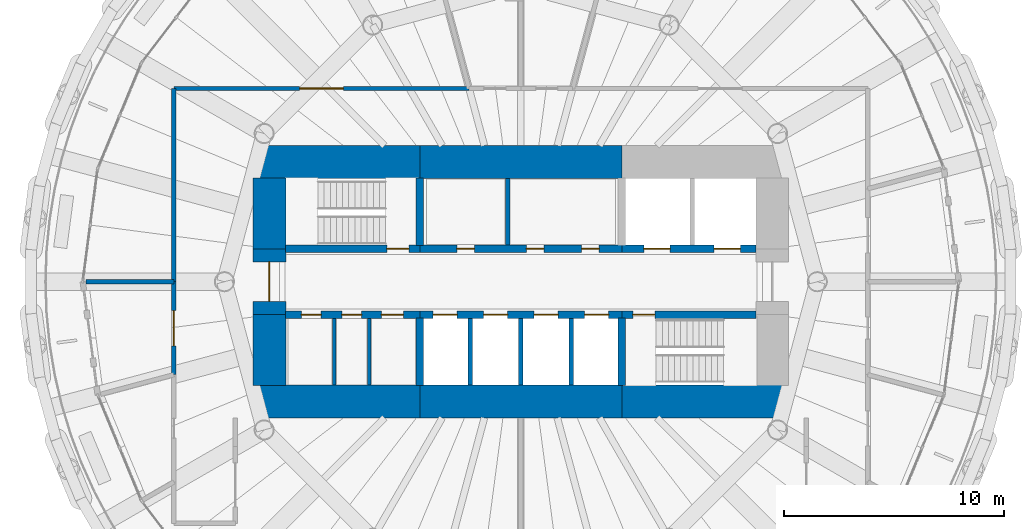
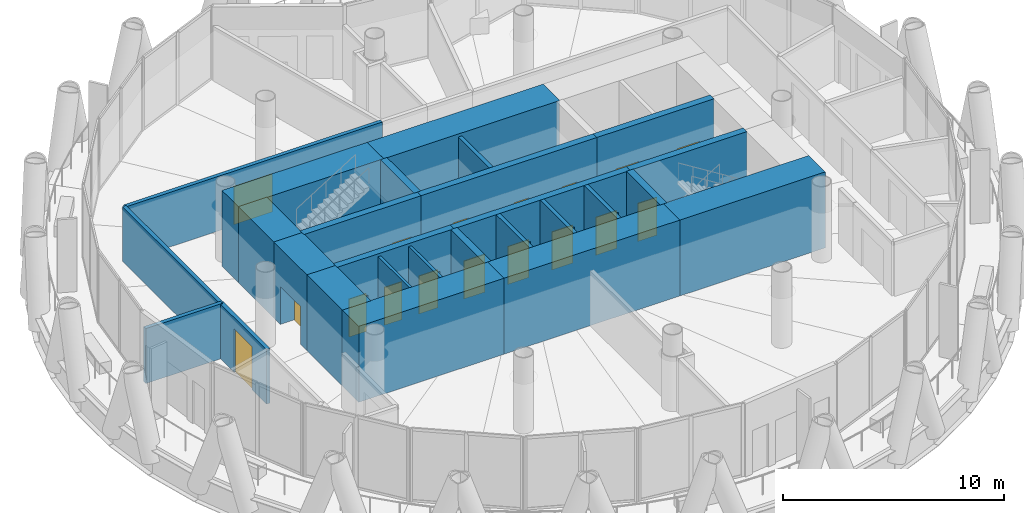
# One storey, part 9 of 14: 27 walls, 17 doors, 17 openings.
"""IFC4 building model written with IfcOpenShell, lengths in metres."""

import ifcopenshell
import ifcopenshell.guid

model = None  # the IFC model being written
_history = None  # IfcOwnerHistory: only IFC2X3 demands one
_inside = {}  # id of a spatial element -> (the spatial element, [elements in it])
_under = {}  # id of a project, library or spatial element -> (it, [spatial elements below it])
_declared = {}  # id of a project -> (the project, [libraries it declares])
_typed = {}  # id of a type object -> (the type object, [elements of that type])
_made_of = {}  # id of a material, layer set ... -> (it, [elements and type objects made of it])


def new_model(schema):
    """Start an empty IFC model of exactly this schema.

    Asked for "IFC4X3", IfcOpenShell would pick the latest addendum, in which some entities
    have other attributes; the version numbers below select the first issue.
    IFC2X3 requires an IfcOwnerHistory on every rooted entity: one is made here for all.
    """
    global model, _history
    if schema == "IFC4X3":
        model = ifcopenshell.file(schema_version=(4, 3, 0, 0))
    else:
        model = ifcopenshell.file(schema=schema)
    _inside.clear()
    _under.clear()
    _declared.clear()
    _typed.clear()
    _made_of.clear()
    _history = None
    if model.schema == "IFC2X3":
        org = make("IfcOrganization", Name="unknown")
        user = make(
            "IfcPersonAndOrganization",
            ThePerson=make("IfcPerson", FamilyName="unknown"),
            TheOrganization=org,
        )
        app = make(
            "IfcApplication",
            ApplicationDeveloper=org,
            Version="unknown",
            ApplicationFullName="unknown",
            ApplicationIdentifier="unknown",
        )
        _history = make(
            "IfcOwnerHistory",
            OwningUser=user,
            OwningApplication=app,
            ChangeAction="ADDED",
            CreationDate=0,
        )
    return model


def make(cls, **values):
    """One entity of the class cls with the attributes given. An attribute that is None is left unset."""
    return model.create_entity(
        cls, **{name: value for name, value in values.items() if value is not None}
    )


def rooted(cls, **values):
    """An entity with a GlobalId (a new one), such as an element, a storey or a relation."""
    return make(cls, GlobalId=ifcopenshell.guid.new(), OwnerHistory=_history, **values)


def si_unit(unit_type, name, prefix=None):
    """IfcSIUnit, for example si_unit("LENGTHUNIT", "METRE", prefix="MILLI")."""
    return make("IfcSIUnit", UnitType=unit_type, Prefix=prefix, Name=name)


def assignment(units):
    """IfcUnitAssignment: the units of a project."""
    return None if units is None else make("IfcUnitAssignment", Units=units)


def point(xyz):
    """IfcCartesianPoint."""
    return None if xyz is None else make("IfcCartesianPoint", Coordinates=xyz)


def direction(xyz):
    """IfcDirection."""
    return None if xyz is None else make("IfcDirection", DirectionRatios=xyz)


def frame(location, z_axis=None, x_axis=None):
    """IfcAxis2Placement3D, a coordinate frame: its origin and axes. An axis left out is left unset."""
    return make(
        "IfcAxis2Placement3D",
        Location=point(location),
        Axis=direction(z_axis),
        RefDirection=direction(x_axis),
    )


def frame_2d(location, x_axis=None):
    """IfcAxis2Placement2D, a coordinate frame in the plane: its origin and x axis."""
    return make(
        "IfcAxis2Placement2D", Location=point(location), RefDirection=direction(x_axis)
    )


def origin():
    """The frame at (0, 0, 0) with its axes left unset."""
    return frame((0.0, 0.0, 0.0))


def place(relative_to, where):
    """IfcLocalPlacement: puts the frame where relative to a parent placement (None: the world)."""
    return make(
        "IfcLocalPlacement", PlacementRelTo=relative_to, RelativePlacement=where
    )


def context(
    kind, dimensions, precision=None, world=None, true_north=None, identifier=None
):
    """IfcGeometricRepresentationContext, for example the 3D "Model" context."""
    return make(
        "IfcGeometricRepresentationContext",
        ContextIdentifier=identifier,
        ContextType=kind,
        CoordinateSpaceDimension=dimensions,
        Precision=precision,
        WorldCoordinateSystem=world,
        TrueNorth=true_north,
    )


def subcontext(parent, identifier, kind, view, scale=None):
    """IfcGeometricRepresentationSubContext, for example "Body" below "Model"."""
    return make(
        "IfcGeometricRepresentationSubContext",
        ContextIdentifier=identifier,
        ContextType=kind,
        ParentContext=parent,
        TargetScale=scale,
        TargetView=view,
    )


def project(units=None, contexts=None):
    """IfcProject with its units and contexts."""
    return rooted(
        "IfcProject",
        Name="project",
        RepresentationContexts=contexts,
        UnitsInContext=assignment(units),
    )


def spatial(cls, under=None, at=None, **own):
    """A site, building, storey or space (cls), placed at a placement, below another one or the project."""
    s = rooted(cls, ObjectPlacement=at, **own)
    if under is not None:
        _under.setdefault(under.id(), (under, []))[1].append(s)
    return s


def profile(cls, at=None, kind="AREA", **sizes):
    """A parametric profile (cls). Its sizes go by their IFC names, for example OverallWidth=200.0."""
    return make(cls, ProfileType=kind, Position=at, **sizes)


def rectangle(**sizes):
    """IfcRectangleProfileDef."""
    return profile("IfcRectangleProfileDef", **sizes)


def extrude(swept, where, along, depth):
    """IfcExtrudedAreaSolid: the profile swept, set in the frame where, extruded along a direction by depth."""
    return make(
        "IfcExtrudedAreaSolid",
        SweptArea=swept,
        Position=where,
        ExtrudedDirection=direction(along),
        Depth=depth,
    )


def shape(context_of_items, identifier, shape_type, items):
    """IfcShapeRepresentation: the items that make up one representation, for example the "Body"."""
    return make(
        "IfcShapeRepresentation",
        ContextOfItems=context_of_items,
        RepresentationIdentifier=identifier,
        RepresentationType=shape_type,
        Items=items,
    )


def material(Name=None, Category=None):
    """IfcMaterial."""
    return make("IfcMaterial", Name=Name, Category=Category)


def layer(
    of_material, thickness, ventilated=None, Name=None, Category=None, Priority=None
):
    """IfcMaterialLayer: one layer of a wall or slab, of a material (None: an air gap)."""
    return make(
        "IfcMaterialLayer",
        Material=of_material,
        LayerThickness=thickness,
        IsVentilated=ventilated,
        Name=Name,
        Category=Category,
        Priority=Priority,
    )


def layer_set(layers, Name=None):
    """IfcMaterialLayerSet."""
    return make("IfcMaterialLayerSet", MaterialLayers=layers, LayerSetName=Name)


def made_of(thing, what):
    """Note that an element or type object is made of a material, layer set ...; save() writes the relation."""
    if what is not None:
        _made_of.setdefault(what.id(), (what, []))[1].append(thing)
    return thing


def type_object(cls, material=None, **own):
    """A type object (cls), such as IfcWallType, which elements share."""
    return made_of(rooted(cls, **own), material)


def element(
    cls,
    number,
    at=None,
    inside=None,
    cuts=None,
    type_object=None,
    material=None,
    context=None,
    identifier="Body",
    shape_type=None,
    held_by="IfcProductDefinitionShape",
    body=None,
    shapes=None,
    **own,
):
    """One element of the class cls, such as IfcWall. Its Tag is "e" and its number.

    at: its placement. inside: the storey or other place that contains it. cuts: it is an
    opening in that element (IfcRelVoidsElement). A single representation is given by context,
    identifier, shape_type and body (its items); several are given by shapes. held_by: the class
    of the entity that holds the representations. save() writes the other relations.
    """
    e = rooted(cls, Tag="e%d" % number, ObjectPlacement=at, **own)
    if body is not None:
        shapes = [shape(context, identifier, shape_type, body)]
    if shapes is not None:
        e.Representation = make(held_by, Representations=shapes)
    if inside is not None:
        _inside.setdefault(inside.id(), (inside, []))[1].append(e)
    if cuts is not None:
        rooted(
            "IfcRelVoidsElement", RelatingBuildingElement=cuts, RelatedOpeningElement=e
        )
    if type_object is not None:
        _typed.setdefault(type_object.id(), (type_object, []))[1].append(e)
    return made_of(e, material)


def fill(opening, filler):
    """IfcRelFillsElement: the door or window that sits in an opening."""
    return rooted(
        "IfcRelFillsElement",
        RelatingOpeningElement=opening,
        RelatedBuildingElement=filler,
    )


def aggregate(whole, parts):
    """IfcRelAggregates: a whole, such as a stair, and the parts it consists of."""
    return rooted("IfcRelAggregates", RelatingObject=whole, RelatedObjects=parts)


def save(model, path):
    """Write the relations noted so far, then the file.

    IfcRelAggregates (storeys below a building ...), IfcRelContainedInSpatialStructure (elements
    in a storey), IfcRelDefinesByType, IfcRelAssociatesMaterial and IfcRelDeclares: one each for
    every whole, place, type object, material and project.
    """
    for whole, parts in _under.values():
        aggregate(whole, parts)
    for where, things in _inside.values():
        rooted(
            "IfcRelContainedInSpatialStructure",
            RelatedElements=things,
            RelatingStructure=where,
        )
    for kind, things in _typed.values():
        rooted("IfcRelDefinesByType", RelatedObjects=things, RelatingType=kind)
    for what, things in _made_of.values():
        rooted("IfcRelAssociatesMaterial", RelatedObjects=things, RelatingMaterial=what)
    for by, libraries in _declared.values():
        rooted("IfcRelDeclares", RelatingContext=by, RelatedDefinitions=libraries)
    model.write(path)


model = new_model("IFC4")

# Units and contexts
model_context = context("Model", 3, precision=1e-05, world=origin(), true_north=direction((0.0, 1.0)))
body_context = subcontext(model_context, "Body", "Model", "MODEL_VIEW")
ifc_project = project(units=[si_unit("LENGTHUNIT", "METRE"), si_unit("AREAUNIT", "SQUARE_METRE"), si_unit("VOLUMEUNIT", "CUBIC_METRE"), si_unit("PLANEANGLEUNIT", "RADIAN"), si_unit("MASSUNIT", "GRAM", prefix="KILO")], contexts=[model_context])

# Site, building, storey
site_placement = place(None, origin())
site = spatial("IfcSite", under=ifc_project, at=site_placement, CompositionType="ELEMENT")
building_placement = place(site_placement, origin())
building = spatial("IfcBuilding", under=site, at=building_placement, Name="Qaws Media Tower", CompositionType="ELEMENT")
storey_placement = place(building_placement, frame((0.0, 0.0, 248.60009765625)))
storey = spatial("IfcBuildingStorey", under=building, at=storey_placement, Name="L57", CompositionType="ELEMENT", Elevation=248.60009765625)

# Wall, opening, door
ifc_material_1 = material(Name="Concrete C60/75", Category="concrete")
ifc_layer_1 = layer(ifc_material_1, 0.35009765625)
ifc_layer_set_1 = layer_set([ifc_layer_1], Name="Core inner wall 350")
wall_type_1 = type_object("IfcWallType", Name="Core inner wall 350", PredefinedType="SHEAR", material=ifc_layer_set_1)
wall_1_placement = place(storey_placement, frame((49.280029296875, 51.5, 0.0), z_axis=(0.0, 0.0, 1.0), x_axis=(1.0, 0.0, 0.0)))
wall_1 = element("IfcWall", 1, at=wall_1_placement, inside=storey, type_object=wall_type_1, Name="W301 SW5 core wall SPNW L57", PredefinedType="SHEAR", context=body_context, shape_type="SweptSolid", body=[
    extrude(rectangle(XDim=6.119873046875, YDim=0.35009765625, at=frame_2d((3.06005859375, 0.0))), origin(), (0.0, 0.0, 1.0), 4.199951171875),
])
opening_1_placement = place(wall_1_placement, frame((4.6201171875, 0.0, 0.0)))
opening_1 = element("IfcOpeningElement", 2, at=opening_1_placement, cuts=wall_1, Name="Opening D1", PredefinedType="OPENING", context=body_context, shape_type="SweptSolid", body=[
    extrude(rectangle(XDim=1.0, YDim=2.10009765625, at=frame_2d((0.5, 1.050048828125))), frame((0.0, 0.18505859375, 0.0), z_axis=(0.0, -1.0, 0.0), x_axis=(1.0, 0.0, 0.0)), (0.0, 0.0, 1.0), 0.3701171875),
])
ifc_material_2 = material(Name="Steel, fire rated", Category="steel")
door_type_1 = type_object("IfcDoorType", Name="Stair door 1000 FD120", OperationType="SINGLE_SWING_LEFT", PredefinedType="DOOR", material=ifc_material_2)
door_1_placement = place(opening_1_placement, origin())
door_1 = element("IfcDoor", 3, at=door_1_placement, inside=storey, type_object=door_type_1, Name="D1 stair S1 door L57 in wall W301", OperationType="SINGLE_SWING_LEFT", OverallHeight=2.10009765625, OverallWidth=1.0, PredefinedType="DOOR", context=body_context, shape_type="SweptSolid", body=[
    extrude(rectangle(XDim=1.0, YDim=2.10009765625, at=frame_2d((0.5, 1.050048828125))), frame((0.0, 0.02490234375, 0.0), z_axis=(0.0, -1.0, 0.0), x_axis=(1.0, 0.0, 0.0)), (0.0, 0.0, 1.0), 0.050048828125),
])
fill(opening_1, door_1)

# Wall, openings, doors
wall_2_placement = place(storey_placement, frame((55.39990234375, 51.5, 0.0), z_axis=(0.0, 0.0, 1.0), x_axis=(1.0, 0.0, 0.0)))
wall_2 = element("IfcWall", 4, at=wall_2_placement, inside=storey, type_object=wall_type_1, Name="W304 SW5 core wall SPN L57", PredefinedType="SHEAR", context=body_context, shape_type="SweptSolid", body=[
    extrude(rectangle(XDim=9.2001953125, YDim=0.35009765625, at=frame_2d((4.60009765625, 0.0))), origin(), (0.0, 0.0, 1.0), 4.199951171875),
])
opening_2_placement = place(wall_2_placement, frame((1.685791015625, 0.0, 0.0)))
opening_2 = element("IfcOpeningElement", 5, at=opening_2_placement, cuts=wall_2, Name="Opening D23", PredefinedType="OPENING", context=body_context, shape_type="SweptSolid", body=[
    extrude(rectangle(XDim=0.800048828125, YDim=2.10009765625, at=frame_2d((0.39990234375, 1.050048828125))), frame((0.0, 0.18505859375, 0.0), z_axis=(0.0, -1.0, 0.0), x_axis=(1.0, 0.0, 0.0)), (0.0, 0.0, 1.0), 0.3701171875),
])
opening_3_placement = place(wall_2_placement, frame((4.853759765625, 0.0, 0.0)))
opening_3 = element("IfcOpeningElement", 6, at=opening_3_placement, cuts=wall_2, Name="Opening D23", PredefinedType="OPENING", context=body_context, shape_type="SweptSolid", body=[
    extrude(rectangle(XDim=0.800048828125, YDim=2.10009765625, at=frame_2d((0.39990234375, 1.050048828125))), frame((0.0, 0.18505859375, 0.0), z_axis=(0.0, -1.0, 0.0), x_axis=(1.0, 0.0, 0.0)), (0.0, 0.0, 1.0), 0.3701171875),
])
opening_4_placement = place(wall_2_placement, frame((7.367919921875, 0.0, 0.0)))
opening_4 = element("IfcOpeningElement", 7, at=opening_4_placement, cuts=wall_2, Name="Opening D23", PredefinedType="OPENING", context=body_context, shape_type="SweptSolid", body=[
    extrude(rectangle(XDim=0.800048828125, YDim=2.10009765625, at=frame_2d((0.39990234375, 1.050048828125))), frame((0.0, 0.18505859375, 0.0), z_axis=(0.0, -1.0, 0.0), x_axis=(1.0, 0.0, 0.0)), (0.0, 0.0, 1.0), 0.3701171875),
])
ifc_material_3 = material(Name="Steel, fire rated", Category="steel")
door_type_2 = type_object("IfcDoorType", Name="Core room door 800x2100", OperationType="SINGLE_SWING_LEFT", PredefinedType="DOOR", material=ifc_material_3)
door_2_placement = place(opening_2_placement, origin())
door_2 = element("IfcDoor", 8, at=door_2_placement, inside=storey, type_object=door_type_2, Name="D23 Gents toilets door L57 in wall W304", OperationType="SINGLE_SWING_LEFT", OverallHeight=2.10009765625, OverallWidth=0.800048828125, PredefinedType="DOOR", context=body_context, shape_type="SweptSolid", body=[
    extrude(rectangle(XDim=0.800048828125, YDim=2.10009765625, at=frame_2d((0.39990234375, 1.050048828125))), frame((0.0, 0.02490234375, 0.0), z_axis=(0.0, -1.0, 0.0), x_axis=(1.0, 0.0, 0.0)), (0.0, 0.0, 1.0), 0.050048828125),
])
fill(opening_2, door_2)
door_3_placement = place(opening_3_placement, origin())
door_3 = element("IfcDoor", 9, at=door_3_placement, inside=storey, type_object=door_type_2, Name="D23 Ladies toilets door L57 2 in wall W304", OperationType="SINGLE_SWING_LEFT", OverallHeight=2.10009765625, OverallWidth=0.800048828125, PredefinedType="DOOR", context=body_context, shape_type="SweptSolid", body=[
    extrude(rectangle(XDim=0.800048828125, YDim=2.10009765625, at=frame_2d((0.39990234375, 1.050048828125))), frame((0.0, 0.02490234375, 0.0), z_axis=(0.0, -1.0, 0.0), x_axis=(1.0, 0.0, 0.0)), (0.0, 0.0, 1.0), 0.050048828125),
])
fill(opening_3, door_3)
door_4_placement = place(opening_4_placement, origin())
door_4 = element("IfcDoor", 10, at=door_4_placement, inside=storey, type_object=door_type_2, Name="D23 Ladies toilets door L57 3 in wall W304", OperationType="SINGLE_SWING_LEFT", OverallHeight=2.10009765625, OverallWidth=0.800048828125, PredefinedType="DOOR", context=body_context, shape_type="SweptSolid", body=[
    extrude(rectangle(XDim=0.800048828125, YDim=2.10009765625, at=frame_2d((0.39990234375, 1.050048828125))), frame((0.0, 0.02490234375, 0.0), z_axis=(0.0, -1.0, 0.0), x_axis=(1.0, 0.0, 0.0)), (0.0, 0.0, 1.0), 0.050048828125),
])
fill(opening_4, door_4)

wall_3_placement = place(storey_placement, frame((64.60009765625, 51.5, 0.0), z_axis=(0.0, 0.0, 1.0), x_axis=(1.0, 0.0, 0.0)))
wall_3 = element("IfcWall", 11, at=wall_3_placement, inside=storey, type_object=wall_type_1, Name="W308 SW5 core wall SPNE L57", PredefinedType="SHEAR", context=body_context, shape_type="SweptSolid", body=[
    extrude(rectangle(XDim=6.119873046875, YDim=0.35009765625, at=frame_2d((3.06005859375, 0.0))), origin(), (0.0, 0.0, 1.0), 4.199951171875),
])
opening_5_placement = place(wall_3_placement, frame((1.0, 0.0, 0.0)))
opening_5 = element("IfcOpeningElement", 12, at=opening_5_placement, cuts=wall_3, Name="Opening LD2", PredefinedType="OPENING", context=body_context, shape_type="SweptSolid", body=[
    extrude(rectangle(XDim=1.199951171875, YDim=2.10009765625, at=frame_2d((0.60009765625, 1.050048828125))), frame((0.0, 0.18505859375, 0.0), z_axis=(0.0, -1.0, 0.0), x_axis=(1.0, 0.0, 0.0)), (0.0, 0.0, 1.0), 0.3701171875),
])
opening_6_placement = place(wall_3_placement, frame((4.199951171875, 0.0, 0.0)))
opening_6 = element("IfcOpeningElement", 13, at=opening_6_placement, cuts=wall_3, Name="Opening LD2", PredefinedType="OPENING", context=body_context, shape_type="SweptSolid", body=[
    extrude(rectangle(XDim=1.199951171875, YDim=2.10009765625, at=frame_2d((0.60009765625, 1.050048828125))), frame((0.0, 0.18505859375, 0.0), z_axis=(0.0, -1.0, 0.0), x_axis=(1.0, 0.0, 0.0)), (0.0, 0.0, 1.0), 0.3701171875),
])
ifc_material_4 = material(Name="Steel, fire rated", Category="steel")
door_type_3 = type_object("IfcDoorType", Name="Lift landing door 1200", OperationType="SLIDING_TO_LEFT", PredefinedType="DOOR", material=ifc_material_4)
door_5_placement = place(opening_5_placement, origin())
door_5 = element("IfcDoor", 14, at=door_5_placement, inside=storey, type_object=door_type_3, Name="FL1 landing door L57 in wall W308", OperationType="SLIDING_TO_LEFT", OverallHeight=2.10009765625, OverallWidth=1.199951171875, PredefinedType="DOOR", context=body_context, shape_type="SweptSolid", body=[
    extrude(rectangle(XDim=1.199951171875, YDim=2.10009765625, at=frame_2d((0.60009765625, 1.050048828125))), frame((0.0, 0.02490234375, 0.0), z_axis=(0.0, -1.0, 0.0), x_axis=(1.0, 0.0, 0.0)), (0.0, 0.0, 1.0), 0.050048828125),
])
fill(opening_5, door_5)
door_6_placement = place(opening_6_placement, origin())
door_6 = element("IfcDoor", 15, at=door_6_placement, inside=storey, type_object=door_type_3, Name="FL2 landing door L57 in wall W308", OperationType="SLIDING_TO_LEFT", OverallHeight=2.10009765625, OverallWidth=1.199951171875, PredefinedType="DOOR", context=body_context, shape_type="SweptSolid", body=[
    extrude(rectangle(XDim=1.199951171875, YDim=2.10009765625, at=frame_2d((0.60009765625, 1.050048828125))), frame((0.0, 0.02490234375, 0.0), z_axis=(0.0, -1.0, 0.0), x_axis=(1.0, 0.0, 0.0)), (0.0, 0.0, 1.0), 0.050048828125),
])
fill(opening_6, door_6)

wall_4_placement = place(storey_placement, frame((49.280029296875, 48.5, 0.0), z_axis=(0.0, 0.0, 1.0), x_axis=(1.0, 0.0, 0.0)))
wall_4 = element("IfcWall", 16, at=wall_4_placement, inside=storey, type_object=wall_type_1, Name="W300 SW5 core wall SPSW L57", PredefinedType="SHEAR", context=body_context, shape_type="SweptSolid", body=[
    extrude(rectangle(XDim=6.119873046875, YDim=0.35009765625, at=frame_2d((3.06005859375, 0.0))), origin(), (0.0, 0.0, 1.0), 4.199951171875),
])
opening_7_placement = place(wall_4_placement, frame((0.719970703125, 0.0, 0.0)))
opening_7 = element("IfcOpeningElement", 17, at=opening_7_placement, cuts=wall_4, Name="Opening D3", PredefinedType="OPENING", context=body_context, shape_type="SweptSolid", body=[
    extrude(rectangle(XDim=0.89990234375, YDim=2.10009765625, at=frame_2d((0.449951171875, 1.050048828125))), frame((0.0, 0.18505859375, 0.0), z_axis=(0.0, -1.0, 0.0), x_axis=(1.0, 0.0, 0.0)), (0.0, 0.0, 1.0), 0.3701171875),
])
opening_8_placement = place(wall_4_placement, frame((2.570068359375, 0.0, 0.0)))
opening_8 = element("IfcOpeningElement", 18, at=opening_8_placement, cuts=wall_4, Name="Opening D25", PredefinedType="OPENING", context=body_context, shape_type="SweptSolid", body=[
    extrude(rectangle(XDim=0.89990234375, YDim=2.10009765625, at=frame_2d((0.449951171875, 1.050048828125))), frame((0.0, 0.18505859375, 0.0), z_axis=(0.0, -1.0, 0.0), x_axis=(1.0, 0.0, 0.0)), (0.0, 0.0, 1.0), 0.3701171875),
])
opening_9_placement = place(wall_4_placement, frame((4.3701171875, 0.0, 0.0)))
opening_9 = element("IfcOpeningElement", 19, at=opening_9_placement, cuts=wall_4, Name="Opening D4", PredefinedType="OPENING", context=body_context, shape_type="SweptSolid", body=[
    extrude(rectangle(XDim=1.0, YDim=2.10009765625, at=frame_2d((0.5, 1.050048828125))), frame((0.0, 0.18505859375, 0.0), z_axis=(0.0, -1.0, 0.0), x_axis=(1.0, 0.0, 0.0)), (0.0, 0.0, 1.0), 0.3701171875),
])
ifc_material_5 = material(Name="Timber veneered", Category="wood")
door_type_4 = type_object("IfcDoorType", Name="Accessible WC door 1000", OperationType="SLIDING_TO_LEFT", PredefinedType="DOOR", material=ifc_material_5)
door_7_placement = place(opening_9_placement, origin())
door_7 = element("IfcDoor", 20, at=door_7_placement, inside=storey, type_object=door_type_4, Name="D4 toilet door 3 L57 in wall W300", OperationType="SLIDING_TO_LEFT", OverallHeight=2.10009765625, OverallWidth=1.0, PredefinedType="DOOR", context=body_context, shape_type="SweptSolid", body=[
    extrude(rectangle(XDim=1.0, YDim=2.10009765625, at=frame_2d((0.5, 1.050048828125))), frame((0.0, 0.02490234375, 0.0), z_axis=(0.0, -1.0, 0.0), x_axis=(1.0, 0.0, 0.0)), (0.0, 0.0, 1.0), 0.050048828125),
])
fill(opening_9, door_7)
ifc_material_6 = material(Name="Steel, fire rated", Category="steel")
door_type_5 = type_object("IfcDoorType", Name="Core service door 900", OperationType="SINGLE_SWING_RIGHT", PredefinedType="DOOR", material=ifc_material_6)
door_8_placement = place(opening_8_placement, origin())
door_8 = element("IfcDoor", 21, at=door_8_placement, inside=storey, type_object=door_type_5, Name="D25 toilet door 2 L57 in wall W300", OperationType="SINGLE_SWING_RIGHT", OverallHeight=2.10009765625, OverallWidth=0.89990234375, PredefinedType="DOOR", context=body_context, shape_type="SweptSolid", body=[
    extrude(rectangle(XDim=0.89990234375, YDim=2.10009765625, at=frame_2d((0.449951171875, 1.050048828125))), frame((0.0, 0.02490234375, 0.0), z_axis=(0.0, -1.0, 0.0), x_axis=(1.0, 0.0, 0.0)), (0.0, 0.0, 1.0), 0.050048828125),
])
fill(opening_8, door_8)
ifc_material_7 = material(Name="Timber veneered", Category="wood")
door_type_6 = type_object("IfcDoorType", Name="Toilet door 900", OperationType="SINGLE_SWING_RIGHT", PredefinedType="DOOR", material=ifc_material_7)
door_9_placement = place(opening_7_placement, origin())
door_9 = element("IfcDoor", 22, at=door_9_placement, inside=storey, type_object=door_type_6, Name="D3 toilet door 1 L57 in wall W300", OperationType="SINGLE_SWING_RIGHT", OverallHeight=2.10009765625, OverallWidth=0.89990234375, PredefinedType="DOOR", context=body_context, shape_type="SweptSolid", body=[
    extrude(rectangle(XDim=0.89990234375, YDim=2.10009765625, at=frame_2d((0.449951171875, 1.050048828125))), frame((0.0, 0.02490234375, 0.0), z_axis=(0.0, -1.0, 0.0), x_axis=(1.0, 0.0, 0.0)), (0.0, 0.0, 1.0), 0.050048828125),
])
fill(opening_7, door_9)

wall_5_placement = place(storey_placement, frame((55.39990234375, 48.5, 0.0), z_axis=(0.0, 0.0, 1.0), x_axis=(1.0, 0.0, 0.0)))
wall_5 = element("IfcWall", 23, at=wall_5_placement, inside=storey, type_object=wall_type_1, Name="W303 SW5 core wall SPS L57", PredefinedType="SHEAR", context=body_context, shape_type="SweptSolid", body=[
    extrude(rectangle(XDim=9.2001953125, YDim=0.35009765625, at=frame_2d((4.60009765625, 0.0))), origin(), (0.0, 0.0, 1.0), 4.199951171875),
])
opening_10_placement = place(wall_5_placement, frame((0.60009765625, 0.0, 0.0)))
opening_10 = element("IfcOpeningElement", 24, at=opening_10_placement, cuts=wall_5, Name="Opening LD", PredefinedType="OPENING", context=body_context, shape_type="SweptSolid", body=[
    extrude(rectangle(XDim=1.10009765625, YDim=2.10009765625, at=frame_2d((0.550048828125, 1.050048828125))), frame((0.0, 0.18505859375, 0.0), z_axis=(0.0, -1.0, 0.0), x_axis=(1.0, 0.0, 0.0)), (0.0, 0.0, 1.0), 0.3701171875),
])
opening_11_placement = place(wall_5_placement, frame((2.89990234375, 0.0, 0.0)))
opening_11 = element("IfcOpeningElement", 25, at=opening_11_placement, cuts=wall_5, Name="Opening LD", PredefinedType="OPENING", context=body_context, shape_type="SweptSolid", body=[
    extrude(rectangle(XDim=1.10009765625, YDim=2.10009765625, at=frame_2d((0.550048828125, 1.050048828125))), frame((0.0, 0.18505859375, 0.0), z_axis=(0.0, -1.0, 0.0), x_axis=(1.0, 0.0, 0.0)), (0.0, 0.0, 1.0), 0.3701171875),
])
opening_12_placement = place(wall_5_placement, frame((5.199951171875, 0.0, 0.0)))
opening_12 = element("IfcOpeningElement", 26, at=opening_12_placement, cuts=wall_5, Name="Opening LD", PredefinedType="OPENING", context=body_context, shape_type="SweptSolid", body=[
    extrude(rectangle(XDim=1.10009765625, YDim=2.10009765625, at=frame_2d((0.550048828125, 1.050048828125))), frame((0.0, 0.18505859375, 0.0), z_axis=(0.0, -1.0, 0.0), x_axis=(1.0, 0.0, 0.0)), (0.0, 0.0, 1.0), 0.3701171875),
])
opening_13_placement = place(wall_5_placement, frame((7.5, 0.0, 0.0)))
opening_13 = element("IfcOpeningElement", 27, at=opening_13_placement, cuts=wall_5, Name="Opening LD", PredefinedType="OPENING", context=body_context, shape_type="SweptSolid", body=[
    extrude(rectangle(XDim=1.10009765625, YDim=2.10009765625, at=frame_2d((0.550048828125, 1.050048828125))), frame((0.0, 0.18505859375, 0.0), z_axis=(0.0, -1.0, 0.0), x_axis=(1.0, 0.0, 0.0)), (0.0, 0.0, 1.0), 0.3701171875),
])
ifc_material_8 = material(Name="Steel, fire rated", Category="steel")
door_type_7 = type_object("IfcDoorType", Name="Lift landing door 1100", OperationType="SLIDING_TO_LEFT", PredefinedType="DOOR", material=ifc_material_8)
door_10_placement = place(opening_10_placement, origin())
door_10 = element("IfcDoor", 28, at=door_10_placement, inside=storey, type_object=door_type_7, Name="P5 landing door L57 in wall W303", OperationType="SLIDING_TO_LEFT", OverallHeight=2.10009765625, OverallWidth=1.10009765625, PredefinedType="DOOR", context=body_context, shape_type="SweptSolid", body=[
    extrude(rectangle(XDim=1.10009765625, YDim=2.10009765625, at=frame_2d((0.550048828125, 1.050048828125))), frame((0.0, 0.02490234375, 0.0), z_axis=(0.0, -1.0, 0.0), x_axis=(1.0, 0.0, 0.0)), (0.0, 0.0, 1.0), 0.050048828125),
])
fill(opening_10, door_10)
door_11_placement = place(opening_11_placement, origin())
door_11 = element("IfcDoor", 29, at=door_11_placement, inside=storey, type_object=door_type_7, Name="P6 landing door L57 in wall W303", OperationType="SLIDING_TO_LEFT", OverallHeight=2.10009765625, OverallWidth=1.10009765625, PredefinedType="DOOR", context=body_context, shape_type="SweptSolid", body=[
    extrude(rectangle(XDim=1.10009765625, YDim=2.10009765625, at=frame_2d((0.550048828125, 1.050048828125))), frame((0.0, 0.02490234375, 0.0), z_axis=(0.0, -1.0, 0.0), x_axis=(1.0, 0.0, 0.0)), (0.0, 0.0, 1.0), 0.050048828125),
])
fill(opening_11, door_11)
door_12_placement = place(opening_12_placement, origin())
door_12 = element("IfcDoor", 30, at=door_12_placement, inside=storey, type_object=door_type_7, Name="P7 landing door L57 in wall W303", OperationType="SLIDING_TO_LEFT", OverallHeight=2.10009765625, OverallWidth=1.10009765625, PredefinedType="DOOR", context=body_context, shape_type="SweptSolid", body=[
    extrude(rectangle(XDim=1.10009765625, YDim=2.10009765625, at=frame_2d((0.550048828125, 1.050048828125))), frame((0.0, 0.02490234375, 0.0), z_axis=(0.0, -1.0, 0.0), x_axis=(1.0, 0.0, 0.0)), (0.0, 0.0, 1.0), 0.050048828125),
])
fill(opening_12, door_12)
door_13_placement = place(opening_13_placement, origin())
door_13 = element("IfcDoor", 31, at=door_13_placement, inside=storey, type_object=door_type_7, Name="P8 landing door L57 in wall W303", OperationType="SLIDING_TO_LEFT", OverallHeight=2.10009765625, OverallWidth=1.10009765625, PredefinedType="DOOR", context=body_context, shape_type="SweptSolid", body=[
    extrude(rectangle(XDim=1.10009765625, YDim=2.10009765625, at=frame_2d((0.550048828125, 1.050048828125))), frame((0.0, 0.02490234375, 0.0), z_axis=(0.0, -1.0, 0.0), x_axis=(1.0, 0.0, 0.0)), (0.0, 0.0, 1.0), 0.050048828125),
])
fill(opening_13, door_13)

# Wall, opening, door
wall_6_placement = place(storey_placement, frame((64.60009765625, 48.5, 0.0), z_axis=(0.0, 0.0, 1.0), x_axis=(1.0, 0.0, 0.0)))
wall_6 = element("IfcWall", 32, at=wall_6_placement, inside=storey, type_object=wall_type_1, Name="W307 SW5 core wall SPSE L57", PredefinedType="SHEAR", context=body_context, shape_type="SweptSolid", body=[
    extrude(rectangle(XDim=6.119873046875, YDim=0.35009765625, at=frame_2d((3.06005859375, 0.0))), origin(), (0.0, 0.0, 1.0), 4.199951171875),
])
opening_14_placement = place(wall_6_placement, frame((0.5, 0.0, 0.0)))
opening_14 = element("IfcOpeningElement", 33, at=opening_14_placement, cuts=wall_6, Name="Opening D1", PredefinedType="OPENING", context=body_context, shape_type="SweptSolid", body=[
    extrude(rectangle(XDim=1.0, YDim=2.10009765625, at=frame_2d((0.5, 1.050048828125))), frame((0.0, 0.18505859375, 0.0), z_axis=(0.0, -1.0, 0.0), x_axis=(1.0, 0.0, 0.0)), (0.0, 0.0, 1.0), 0.3701171875),
])
door_14_placement = place(opening_14_placement, origin())
door_14 = element("IfcDoor", 34, at=door_14_placement, inside=storey, type_object=door_type_1, Name="D1 stair S2 door L57 in wall W307", OperationType="SINGLE_SWING_LEFT", OverallHeight=2.10009765625, OverallWidth=1.0, PredefinedType="DOOR", context=body_context, shape_type="SweptSolid", body=[
    extrude(rectangle(XDim=1.0, YDim=2.10009765625, at=frame_2d((0.5, 1.050048828125))), frame((0.0, 0.02490234375, 0.0), z_axis=(0.0, -1.0, 0.0), x_axis=(1.0, 0.0, 0.0)), (0.0, 0.0, 1.0), 0.050048828125),
])
fill(opening_14, door_14)

# Walls
for number, where, z_axis, x_axis, name in (
    (35, (55.39990234375, 51.655029296875, 0.0), (0.0, 0.0, 1.0), (0.0, 1.0, 0.0), "W305 SW5 core wall XNW L57"),
    (36, (55.39990234375, 48.344970703125, 0.0), (0.0, 0.0, 1.0), (0.0, -1.0, 0.0), "W302 SW5 core wall XSW L57"),
    (37, (64.60009765625, 48.344970703125, 0.0), (0.0, 0.0, 1.0), (0.0, -1.0, 0.0), "W306 SW5 core wall XSE L57"),
):
    element("IfcWall", number, at=place(storey_placement, frame(where, z_axis=z_axis, x_axis=x_axis)), inside=storey, type_object=wall_type_1, Name=name, PredefinedType="SHEAR", context=body_context, shape_type="SweptSolid", body=[
        extrude(rectangle(XDim=3.06494140625, YDim=0.35009765625, at=frame_2d((1.532470703125, 0.0))), origin(), (0.0, 0.0, 1.0), 4.199951171875),
    ])
ifc_material_9 = material(Name="Concrete C60/75", Category="concrete")
ifc_layer_2 = layer(ifc_material_9, 1.5)
ifc_layer_set_2 = layer_set([ifc_layer_2], Name="Core wall 1500")
wall_type_2 = type_object("IfcWallType", Name="Core wall 1500", PredefinedType="SHEAR", material=ifc_layer_set_2)
wall_7_placement = place(storey_placement, frame((47.800048828125, 55.449951171875, 0.0), z_axis=(0.0, 0.0, 1.0), x_axis=(1.0, 0.0, 0.0)))
element("IfcWall", 38, at=wall_7_placement, inside=storey, type_object=wall_type_2, Name="W377 SW13 core wall NW L57", PredefinedType="SHEAR", context=body_context, shape_type="SweptSolid", body=[
    extrude(rectangle(XDim=7.599853515625, YDim=1.5, at=frame_2d((3.7998046875, 0.0))), origin(), (0.0, 0.0, 1.0), 4.199951171875),
])
wall_8_placement = place(storey_placement, frame((55.39990234375, 55.449951171875, 0.0), z_axis=(0.0, 0.0, 1.0), x_axis=(1.0, 0.0, 0.0)))
element("IfcWall", 39, at=wall_8_placement, inside=storey, type_object=wall_type_2, Name="W373 SW13 core wall N L57", PredefinedType="SHEAR", context=body_context, shape_type="SweptSolid", body=[
    extrude(rectangle(XDim=9.2001953125, YDim=1.5, at=frame_2d((4.60009765625, 0.0))), origin(), (0.0, 0.0, 1.0), 4.199951171875),
])
wall_9_placement = place(storey_placement, frame((47.800048828125, 44.550048828125, 0.0), z_axis=(0.0, 0.0, 1.0), x_axis=(1.0, 0.0, 0.0)))
element("IfcWall", 40, at=wall_9_placement, inside=storey, type_object=wall_type_2, Name="W376 SW13 core wall SW L57", PredefinedType="SHEAR", context=body_context, shape_type="SweptSolid", body=[
    extrude(rectangle(XDim=7.599853515625, YDim=1.5, at=frame_2d((3.7998046875, 0.0))), origin(), (0.0, 0.0, 1.0), 4.199951171875),
])
wall_10_placement = place(storey_placement, frame((55.39990234375, 44.550048828125, 0.0), z_axis=(0.0, 0.0, 1.0), x_axis=(1.0, 0.0, 0.0)))
element("IfcWall", 41, at=wall_10_placement, inside=storey, type_object=wall_type_2, Name="W372 SW13 core wall S L57", PredefinedType="SHEAR", context=body_context, shape_type="SweptSolid", body=[
    extrude(rectangle(XDim=9.2001953125, YDim=1.5, at=frame_2d((4.60009765625, 0.0))), origin(), (0.0, 0.0, 1.0), 4.199951171875),
])
wall_11_placement = place(storey_placement, frame((64.60009765625, 44.550048828125, 0.0), z_axis=(0.0, 0.0, 1.0), x_axis=(1.0, 0.0, 0.0)))
element("IfcWall", 42, at=wall_11_placement, inside=storey, type_object=wall_type_2, Name="W381 SW13 core wall SE L57", PredefinedType="SHEAR", context=body_context, shape_type="SweptSolid", body=[
    extrude(rectangle(XDim=7.599853515625, YDim=1.5, at=frame_2d((3.7998046875, 0.0))), origin(), (0.0, 0.0, 1.0), 4.199951171875),
])
wall_12_placement = place(storey_placement, frame((48.550048828125, 45.280029296875, 0.0), z_axis=(0.0, 0.0, 1.0), x_axis=(0.0, 1.0, 0.0)))
element("IfcWall", 43, at=wall_12_placement, inside=storey, type_object=wall_type_2, Name="W378 SW13 core wall WS L57", PredefinedType="SHEAR", context=body_context, shape_type="SweptSolid", body=[
    extrude(rectangle(XDim=3.219970703125, YDim=1.5, at=frame_2d((1.60986328125, 0.0))), origin(), (0.0, 0.0, 1.0), 4.199951171875),
])

# Wall, opening, door
wall_13_placement = place(storey_placement, frame((48.550048828125, 48.5, 0.0), z_axis=(0.0, 0.0, 1.0), x_axis=(0.0, 1.0, 0.0)))
wall_13 = element("IfcWall", 44, at=wall_13_placement, inside=storey, type_object=wall_type_2, Name="W379 SW13 core wall W L57", PredefinedType="SHEAR", context=body_context, shape_type="SweptSolid", body=[
    extrude(rectangle(XDim=3.0, YDim=1.5, at=frame_2d((1.5, 0.0))), origin(), (0.0, 0.0, 1.0), 4.199951171875),
])
opening_15_placement = place(wall_13_placement, frame((0.60009765625, 0.0, 0.0)))
opening_15 = element("IfcOpeningElement", 45, at=opening_15_placement, cuts=wall_13, Name="Opening D2", PredefinedType="OPENING", context=body_context, shape_type="SweptSolid", body=[
    extrude(rectangle(XDim=1.800048828125, YDim=2.10009765625, at=frame_2d((0.89990234375, 1.050048828125))), frame((0.0, 0.760009765625, 0.0), z_axis=(0.0, -1.0, 0.0), x_axis=(1.0, 0.0, 0.0)), (0.0, 0.0, 1.0), 1.52001953125),
])
ifc_material_10 = material(Name="Steel and glass, fire rated", Category="steel")
door_type_8 = type_object("IfcDoorType", Name="Lobby door pair 1800 FD60", OperationType="DOUBLE_DOOR_DOUBLE_SWING", PredefinedType="DOOR", material=ifc_material_10)
door_15_placement = place(opening_15_placement, origin())
door_15 = element("IfcDoor", 46, at=door_15_placement, inside=storey, type_object=door_type_8, Name="D2 core lobby door W L57 in wall W379", OperationType="DOUBLE_DOOR_DOUBLE_SWING", OverallHeight=2.10009765625, OverallWidth=1.800048828125, PredefinedType="DOOR", context=body_context, shape_type="SweptSolid", body=[
    extrude(rectangle(XDim=1.800048828125, YDim=2.10009765625, at=frame_2d((0.89990234375, 1.050048828125))), frame((0.0, 0.02490234375, 0.0), z_axis=(0.0, -1.0, 0.0), x_axis=(1.0, 0.0, 0.0)), (0.0, 0.0, 1.0), 0.050048828125),
])
fill(opening_15, door_15)

# Wall
wall_14_placement = place(storey_placement, frame((48.550048828125, 51.5, 0.0), z_axis=(0.0, 0.0, 1.0), x_axis=(0.0, 1.0, 0.0)))
element("IfcWall", 47, at=wall_14_placement, inside=storey, type_object=wall_type_2, Name="W380 SW13 core wall WN L57", PredefinedType="SHEAR", context=body_context, shape_type="SweptSolid", body=[
    extrude(rectangle(XDim=3.219970703125, YDim=1.5, at=frame_2d((1.60986328125, 0.0))), origin(), (0.0, 0.0, 1.0), 4.199951171875),
])

# Wall, opening, door
ifc_material_11 = material(Name="Gypsum board on galvanised metal studs, acoustic double stud, deflection head", Category="gypsum")
ifc_layer_3 = layer(ifc_material_11, 0.199951171875)
ifc_layer_set_3 = layer_set([ifc_layer_3], Name="Room partition 200")
wall_type_3 = type_object("IfcWallType", Name="Room partition 200", PredefinedType="PARTITIONING", material=ifc_layer_set_3)
wall_15_placement = place(storey_placement, frame((44.199951171875, 58.800048828125, 0.0), z_axis=(0.0, 0.0, 1.0), x_axis=(1.0, 0.0, 0.0)))
wall_15 = element("IfcWall", 48, at=wall_15_placement, inside=storey, type_object=wall_type_3, Name="W1649 IW3 partition L57", PredefinedType="PARTITIONING", context=body_context, shape_type="SweptSolid", body=[
    extrude(rectangle(XDim=13.442138671875, YDim=0.199951171875, at=frame_2d((6.72119140625, 0.0))), origin(), (0.0, 0.0, 1.0), 3.02001953125),
])
opening_16_placement = place(wall_15_placement, frame((5.720947265625, 0.0, 0.0)))
opening_16 = element("IfcOpeningElement", 49, at=opening_16_placement, cuts=wall_15, Name="Opening D6", PredefinedType="OPENING", context=body_context, shape_type="SweptSolid", body=[
    extrude(rectangle(XDim=2.0, YDim=2.10009765625, at=frame_2d((1.0, 1.050048828125))), frame((0.0, 0.10986328125, 0.0), z_axis=(0.0, -1.0, 0.0), x_axis=(1.0, 0.0, 0.0)), (0.0, 0.0, 1.0), 0.219970703125),
])
ifc_material_12 = material(Name="Steel, acoustic, fire rated", Category="steel")
door_type_9 = type_object("IfcDoorType", Name="Room door pair 2000", OperationType="DOUBLE_DOOR_DOUBLE_SWING", PredefinedType="DOOR", material=ifc_material_12)
door_16_placement = place(opening_16_placement, origin())
door_16 = element("IfcDoor", 50, at=door_16_placement, inside=storey, type_object=door_type_9, Name="D6 Tenant office door L57 in wall W1649", OperationType="DOUBLE_DOOR_DOUBLE_SWING", OverallHeight=2.10009765625, OverallWidth=2.0, PredefinedType="DOOR", context=body_context, shape_type="SweptSolid", body=[
    extrude(rectangle(XDim=2.0, YDim=2.10009765625, at=frame_2d((1.0, 1.050048828125))), frame((0.0, 0.02490234375, 0.0), z_axis=(0.0, -1.0, 0.0), x_axis=(1.0, 0.0, 0.0)), (0.0, 0.0, 1.0), 0.050048828125),
])
fill(opening_16, door_16)

wall_16_placement = place(storey_placement, frame((44.199951171875, 45.766357421875, 0.0), z_axis=(0.0, 0.0, 1.0), x_axis=(0.0, 1.0, 0.0)))
wall_16 = element("IfcWall", 51, at=wall_16_placement, inside=storey, type_object=wall_type_3, Name="W1646 IW3 partition L57", PredefinedType="PARTITIONING", context=body_context, shape_type="SweptSolid", body=[
    extrude(rectangle(XDim=4.233642578125, YDim=0.199951171875, at=frame_2d((2.11669921875, 0.0))), origin(), (0.0, 0.0, 1.0), 3.02001953125),
])
opening_17_placement = place(wall_16_placement, frame((1.31689453125, 0.0, 0.0)))
opening_17 = element("IfcOpeningElement", 52, at=opening_17_placement, cuts=wall_16, Name="Opening D16", PredefinedType="OPENING", context=body_context, shape_type="SweptSolid", body=[
    extrude(rectangle(XDim=1.60009765625, YDim=2.39990234375, at=frame_2d((0.800048828125, 1.199951171875))), frame((0.0, 0.10986328125, 0.0), z_axis=(0.0, -1.0, 0.0), x_axis=(1.0, 0.0, 0.0)), (0.0, 0.0, 1.0), 0.219970703125),
])
ifc_material_13 = material(Name="Glazed aluminium, fire rated", Category="aluminium")
door_type_10 = type_object("IfcDoorType", Name="Tenant entrance door pair 1600x2400", OperationType="DOUBLE_DOOR_DOUBLE_SWING", PredefinedType="DOOR", material=ifc_material_13)
door_17_placement = place(opening_17_placement, origin())
door_17 = element("IfcDoor", 53, at=door_17_placement, inside=storey, type_object=door_type_10, Name="D16 Tenant reception door L57 in wall W1646", OperationType="DOUBLE_DOOR_DOUBLE_SWING", OverallHeight=2.39990234375, OverallWidth=1.60009765625, PredefinedType="DOOR", context=body_context, shape_type="SweptSolid", body=[
    extrude(rectangle(XDim=1.60009765625, YDim=2.39990234375, at=frame_2d((0.800048828125, 1.199951171875))), frame((0.0, 0.02490234375, 0.0), z_axis=(0.0, -1.0, 0.0), x_axis=(1.0, 0.0, 0.0)), (0.0, 0.0, 1.0), 0.050048828125),
])
fill(opening_17, door_17)

# Walls
wall_17_placement = place(storey_placement, frame((44.199951171875, 50.0, 0.0), z_axis=(0.0, 0.0, 1.0), x_axis=(0.0, 1.0, 0.0)))
element("IfcWall", 54, at=wall_17_placement, inside=storey, type_object=wall_type_3, Name="W1648 IW3 partition L57", PredefinedType="PARTITIONING", context=body_context, shape_type="SweptSolid", body=[
    extrude(rectangle(XDim=8.800048828125, YDim=0.199951171875, at=frame_2d((4.39990234375, 0.0))), origin(), (0.0, 0.0, 1.0), 3.02001953125),
])
wall_18_placement = place(storey_placement, frame((44.199951171875, 50.0, 0.0), z_axis=(0.0, 0.0, 1.0), x_axis=(-1.0, 0.0, 0.0)))
element("IfcWall", 55, at=wall_18_placement, inside=storey, type_object=wall_type_3, Name="W1679 IW3 partition L57", PredefinedType="PARTITIONING", context=body_context, shape_type="SweptSolid", body=[
    extrude(rectangle(XDim=4.010009765625, YDim=0.199951171875, at=frame_2d((2.0048828125, 0.0))), origin(), (0.0, 0.0, 1.0), 3.039794921875),
])
wall_19_placement = place(storey_placement, frame((59.396484375, 51.675048828125, 0.0), z_axis=(0.0, 0.0, 1.0), x_axis=(0.0, 1.0, 0.0)))
element("IfcWall", 56, at=wall_19_placement, inside=storey, type_object=wall_type_3, Name="W1654 IW3 core room partition 1 L57", PredefinedType="PARTITIONING", context=body_context, shape_type="SweptSolid", body=[
    extrude(rectangle(XDim=3.02490234375, YDim=0.199951171875, at=frame_2d((1.512451171875, 0.0))), origin(), (0.0, 0.0, 1.0), 4.039794921875),
])
ifc_material_14 = material(Name="Fire-rated gypsum board shaft wall on galvanised metal studs, deflection head", Category="gypsum")
ifc_layer_4 = layer(ifc_material_14, 0.199951171875)
ifc_layer_set_4 = layer_set([ifc_layer_4], Name="Shaft wall 200")
wall_type_4 = type_object("IfcWallType", Name="Shaft wall 200", PredefinedType="PARTITIONING", material=ifc_layer_set_4)
for number, where, z_axis, x_axis, name in (
    (57, (57.699951171875, 45.300048828125, 0.0), (0.0, 0.0, 1.0), (0.0, 1.0, 0.0), "W1871 IW1 shaft wall S1 L57"),
    (58, (60.0, 45.300048828125, 0.0), (0.0, 0.0, 1.0), (0.0, 1.0, 0.0), "W1872 IW1 shaft wall S2 L57"),
    (59, (62.300048828125, 45.300048828125, 0.0), (0.0, 0.0, 1.0), (0.0, 1.0, 0.0), "W1873 IW1 shaft wall S3 L57"),
):
    element("IfcWall", number, at=place(storey_placement, frame(where, z_axis=z_axis, x_axis=x_axis)), inside=storey, type_object=wall_type_4, Name=name, PredefinedType="PARTITIONING", context=body_context, shape_type="SweptSolid", body=[
        extrude(rectangle(XDim=3.02490234375, YDim=0.199951171875, at=frame_2d((1.512451171875, 0.0))), origin(), (0.0, 0.0, 1.0), 4.199951171875),
    ])
ifc_material_15 = material(Name="Gypsum board on galvanised metal studs, deflection head", Category="gypsum")
ifc_layer_5 = layer(ifc_material_15, 0.14990234375)
ifc_layer_set_5 = layer_set([ifc_layer_5], Name="WC partition 150")
wall_type_5 = type_object("IfcWallType", Name="WC partition 150", PredefinedType="PARTITIONING", material=ifc_layer_set_5)
for number, where, z_axis, x_axis, name in (
    (60, (51.5, 45.300048828125, 0.0), (0.0, 0.0, 1.0), (0.0, 1.0, 0.0), "W1926 IW2 toilet partition 1 L57"),
    (61, (53.10009765625, 45.300048828125, 0.0), (0.0, 0.0, 1.0), (0.0, 1.0, 0.0), "W1927 IW2 toilet partition 2 L57"),
):
    element("IfcWall", number, at=place(storey_placement, frame(where, z_axis=z_axis, x_axis=x_axis)), inside=storey, type_object=wall_type_5, Name=name, PredefinedType="PARTITIONING", context=body_context, shape_type="SweptSolid", body=[
        extrude(rectangle(XDim=3.02490234375, YDim=0.14990234375, at=frame_2d((1.512451171875, 0.0))), origin(), (0.0, 0.0, 1.0), 4.039794921875),
    ])

save(model, "model.ifc")
